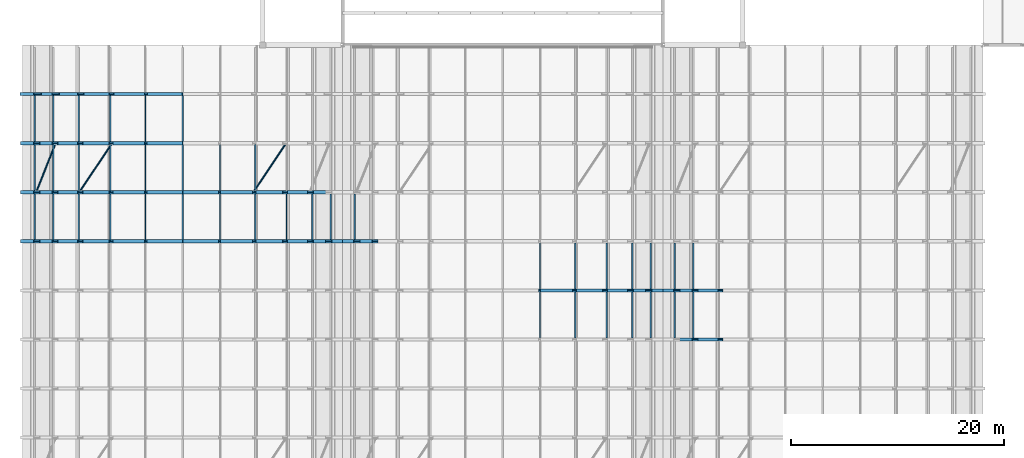
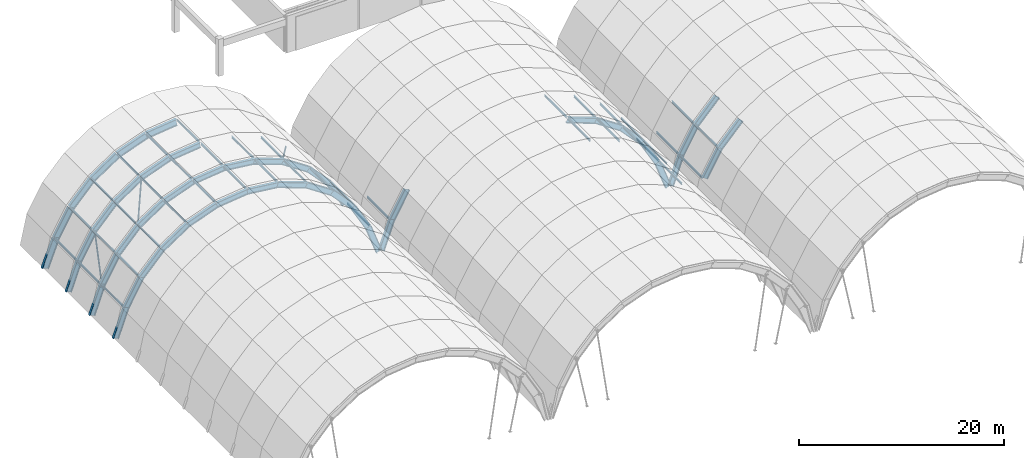
# One storey, part 11 of 47: 87 beams, 3 members.
"""IFC4 building model written with IfcOpenShell, lengths in metres."""

from ifc_helpers import new_model, si_unit, direction, frame, origin, origin_2d, place, context, subcontext, project, spatial, hollow_circle, i_section, extrude, material, material_profile, profile_set, type_object, element, save


model = new_model("IFC4")

# Units and contexts
model_context = context("Model", 3, precision=1e-05, world=origin(), true_north=direction((0.0, 1.0)))
body_context = subcontext(model_context, "Body", "Model", "MODEL_VIEW")
ifc_project = project(units=[si_unit("LENGTHUNIT", "METRE"), si_unit("AREAUNIT", "SQUARE_METRE"), si_unit("VOLUMEUNIT", "CUBIC_METRE"), si_unit("PLANEANGLEUNIT", "RADIAN"), si_unit("MASSUNIT", "GRAM", prefix="KILO")], contexts=[model_context])

# Site, building, storey
site_placement = place(None, origin())
site = spatial("IfcSite", under=ifc_project, at=site_placement, CompositionType="ELEMENT")
building_placement = place(site_placement, origin())
building = spatial("IfcBuilding", under=site, at=building_placement, Name="Muzn Square Opera House", CompositionType="ELEMENT")
storey_placement = place(building_placement, frame((0.0, 0.0, 31.0)))
storey = spatial("IfcBuildingStorey", under=building, at=storey_placement, Name="RF-1", CompositionType="ELEMENT", Elevation=31.0)

# Beams
ifc_material = material(Name="Steel S355", Category="steel")
ifc_material_profile_1 = material_profile(ifc_material, i_section(OverallWidth=0.300048828125, OverallDepth=0.800048828125, WebThickness=0.017578125, FlangeThickness=0.032958984375, FilletRadius=0.030029296875, at=origin_2d()), Name="HEB 800", Category="steel")
ifc_profile_set_1 = profile_set([ifc_material_profile_1], Name="Steel S355")
beam_type_1 = type_object("IfcBeamType", Name="Gable Arch Rib HEB800", PredefinedType="BEAM", material=ifc_profile_set_1)
beam_1_placement = place(storey_placement, frame((43.1201171875, 68.0, -12.550048828125), z_axis=(0.362708999619, 0.0, 0.931902452832), x_axis=(0.0, 1.0, 0.0)))
element("IfcBeam", 1, at=beam_1_placement, inside=storey, type_object=beam_type_1, Name="Barrel Vault Arch Rib V1-10-S00", PredefinedType="BEAM", context=body_context, shape_type="SweptSolid", body=[
    extrude(i_section(OverallWidth=0.300048828125, OverallDepth=0.800048828125, WebThickness=0.017578125, FlangeThickness=0.032958984375, FilletRadius=0.030029296875, at=origin_2d()), origin(), (0.0, 0.0, 1.0), 3.49755859375),
])
beam_2_placement = place(storey_placement, frame((44.388671875, 68.0, -9.290771484375), z_axis=(0.492117762624, 0.0, 0.870528636927), x_axis=(0.0, 1.0, 0.0)))
element("IfcBeam", 2, at=beam_2_placement, inside=storey, type_object=beam_type_1, Name="Barrel Vault Arch Rib V1-10-S01", PredefinedType="BEAM", context=body_context, shape_type="SweptSolid", body=[
    extrude(i_section(OverallWidth=0.300048828125, OverallDepth=0.800048828125, WebThickness=0.017578125, FlangeThickness=0.032958984375, FilletRadius=0.030029296875, at=origin_2d()), origin(), (0.0, 0.0, 1.0), 3.456787109375),
])
beam_3_placement = place(storey_placement, frame((46.08984375, 68.0, -6.281494140625), z_axis=(0.681076644636, 0.0, 0.732212130555), x_axis=(0.0, 1.0, 0.0)))
element("IfcBeam", 3, at=beam_3_placement, inside=storey, type_object=beam_type_1, Name="Barrel Vault Arch Rib V1-10-S02", PredefinedType="BEAM", context=body_context, shape_type="SweptSolid", body=[
    extrude(i_section(OverallWidth=0.300048828125, OverallDepth=0.800048828125, WebThickness=0.017578125, FlangeThickness=0.032958984375, FilletRadius=0.030029296875, at=origin_2d()), origin(), (0.0, 0.0, 1.0), 3.45654296875),
])
for number, where, z_axis, x_axis, name in (
    (4, (48.444091796875, 68.0, -3.75048828125), (0.832701668502, 0.0, 0.553721889827), (0.0, 1.0, 0.0), "Barrel Vault Arch Rib V1-10-S03"),
    (5, (51.322509765625, 68.0, -1.83642578125), (0.938647830501, 0.0, 0.344877152471), (0.0, 1.0, 0.0), "Barrel Vault Arch Rib V1-10-S04"),
):
    element("IfcBeam", number, at=place(storey_placement, frame(where, z_axis=z_axis, x_axis=x_axis)), inside=storey, type_object=beam_type_1, Name=name, PredefinedType="BEAM", context=body_context, shape_type="SweptSolid", body=[
        extrude(i_section(OverallWidth=0.300048828125, OverallDepth=0.800048828125, WebThickness=0.017578125, FlangeThickness=0.032958984375, FilletRadius=0.030029296875, at=origin_2d()), origin(), (0.0, 0.0, 1.0), 3.456787109375),
    ])
beam_4_placement = place(storey_placement, frame((54.567138671875, 68.0, -0.644287109375), z_axis=(0.99313613312, 0.0, 0.116964187216), x_axis=(0.0, 1.0, 0.0)))
element("IfcBeam", 6, at=beam_4_placement, inside=storey, type_object=beam_type_1, Name="Barrel Vault Arch Rib V1-10-S05", PredefinedType="BEAM", context=body_context, shape_type="SweptSolid", body=[
    extrude(i_section(OverallWidth=0.300048828125, OverallDepth=0.800048828125, WebThickness=0.017578125, FlangeThickness=0.032958984375, FilletRadius=0.030029296875, at=origin_2d()), origin(), (0.0, 0.0, 1.0), 3.45654296875),
])
ifc_material_profile_2 = material_profile(ifc_material, i_section(OverallWidth=0.1201171875, OverallDepth=0.239990234375, WebThickness=0.006103515625, FlangeThickness=0.009765625, FilletRadius=0.014892578125, at=origin_2d()), Name="IPE 240", Category="steel")
ifc_profile_set_2 = profile_set([ifc_material_profile_2], Name="Steel S355")
beam_type_2 = type_object("IfcBeamType", Name="Roof Purlin IPE240", PredefinedType="USERDEFINED", material=ifc_profile_set_2)
for number, where, z_axis, x_axis, name in (
    (7, (44.130615234375, 54.340087890625, -9.1826171875), (0.0, 1.0, 0.0), (-1.0, 0.0, 0.0), "Barrel Vault Roof Purlin V1-07-P02"),
    (8, (45.86376953125, 54.340087890625, -6.1162109375), (0.0, 1.0, 0.0), (-1.0, 0.0, 0.0), "Barrel Vault Roof Purlin V1-07-P04"),
    (9, (48.2626953125, 54.340087890625, -3.537109375), (0.0, 1.0, 0.0), (-1.0, 0.0, 0.0), "Barrel Vault Roof Purlin V1-07-P06"),
    (10, (51.19580078125, 54.340087890625, -1.5869140625), (0.0, 1.0, 0.0), (-1.0, 0.0, 0.0), "Barrel Vault Roof Purlin V1-07-P08"),
    (11, (54.501953125, 54.340087890625, -0.3720703125), (0.0, 1.0, 0.0), (-1.0, 0.0, 0.0), "Barrel Vault Roof Purlin V1-07-P10"),
    (12, (58.0, 54.340087890625, 0.0400390625), (0.0, 1.0, 0.0), (-1.0, 0.0, 0.0), "Barrel Vault Roof Purlin V1-07-P12"),
    (13, (61.498046875, 54.340087890625, -0.3720703125), (0.0, 1.0, 0.0), (-1.0, 0.0, 0.0), "Barrel Vault Roof Purlin V1-07-P14"),
    (14, (64.80419921875, 54.340087890625, -1.5869140625), (0.0, 1.0, 0.0), (-1.0, 0.0, 0.0), "Barrel Vault Roof Purlin V1-07-P16"),
    (15, (67.7373046875, 54.340087890625, -3.537109375), (0.0, 1.0, 0.0), (-1.0, 0.0, 0.0), "Barrel Vault Roof Purlin V1-07-P18"),
    (16, (70.13623046875, 54.340087890625, -6.1162109375), (0.0, 1.0, 0.0), (-1.0, 0.0, 0.0), "Barrel Vault Roof Purlin V1-07-P20"),
    (17, (71.869384765625, 54.340087890625, -9.1826171875), (0.0, 1.0, 0.0), (-1.0, 0.0, 0.0), "Barrel Vault Roof Purlin V1-07-P22"),
):
    element("IfcBeam", number, at=place(storey_placement, frame(where, z_axis=z_axis, x_axis=x_axis)), inside=storey, type_object=beam_type_2, Name=name, ObjectType="PURLIN", PredefinedType="USERDEFINED", context=body_context, shape_type="SweptSolid", body=[
        extrude(i_section(OverallWidth=0.1201171875, OverallDepth=0.239990234375, WebThickness=0.006103515625, FlangeThickness=0.009765625, FilletRadius=0.014892578125, at=origin_2d()), origin(), (0.0, 0.0, 1.0), 4.31982421875),
    ])
for number, where, z_axis, x_axis, name in (
    (18, (44.130615234375, 58.93994140625, -9.1826171875), (0.0, 1.0, 0.0), (-1.0, 0.0, 0.0), "Barrel Vault Roof Purlin V1-08-P02"),
    (19, (45.86376953125, 58.93994140625, -6.1162109375), (0.0, 1.0, 0.0), (-1.0, 0.0, 0.0), "Barrel Vault Roof Purlin V1-08-P04"),
    (20, (48.2626953125, 58.93994140625, -3.537109375), (0.0, 1.0, 0.0), (-1.0, 0.0, 0.0), "Barrel Vault Roof Purlin V1-08-P06"),
    (21, (51.19580078125, 58.93994140625, -1.5869140625), (0.0, 1.0, 0.0), (-1.0, 0.0, 0.0), "Barrel Vault Roof Purlin V1-08-P08"),
    (22, (54.501953125, 58.93994140625, -0.3720703125), (0.0, 1.0, 0.0), (-1.0, 0.0, 0.0), "Barrel Vault Roof Purlin V1-08-P10"),
    (23, (58.0, 58.93994140625, 0.0400390625), (0.0, 1.0, 0.0), (-1.0, 0.0, 0.0), "Barrel Vault Roof Purlin V1-08-P12"),
    (24, (61.498046875, 58.93994140625, -0.3720703125), (0.0, 1.0, 0.0), (-1.0, 0.0, 0.0), "Barrel Vault Roof Purlin V1-08-P14"),
    (25, (64.80419921875, 58.93994140625, -1.5869140625), (0.0, 1.0, 0.0), (-1.0, 0.0, 0.0), "Barrel Vault Roof Purlin V1-08-P16"),
    (26, (44.130615234375, 63.5400390625, -9.1826171875), (0.0, 1.0, 0.0), (-1.0, 0.0, 0.0), "Barrel Vault Roof Purlin V1-09-P02"),
    (27, (45.86376953125, 63.5400390625, -6.1162109375), (0.0, 1.0, 0.0), (-1.0, 0.0, 0.0), "Barrel Vault Roof Purlin V1-09-P04"),
    (28, (48.2626953125, 63.5400390625, -3.537109375), (0.0, 1.0, 0.0), (-1.0, 0.0, 0.0), "Barrel Vault Roof Purlin V1-09-P06"),
    (29, (51.19580078125, 63.5400390625, -1.5869140625), (0.0, 1.0, 0.0), (-1.0, 0.0, 0.0), "Barrel Vault Roof Purlin V1-09-P08"),
    (30, (54.501953125, 63.5400390625, -0.3720703125), (0.0, 1.0, 0.0), (-1.0, 0.0, 0.0), "Barrel Vault Roof Purlin V1-09-P10"),
    (31, (58.0, 63.5400390625, 0.0400390625), (0.0, 1.0, 0.0), (-1.0, 0.0, 0.0), "Barrel Vault Roof Purlin V1-09-P12"),
    (32, (91.498046875, 45.139892578125, -0.3720703125), (0.0, 1.0, 0.0), (-1.0, 0.0, 0.0), "Barrel Vault Roof Purlin V2-05-P14"),
    (33, (94.80419921875, 45.139892578125, -1.5869140625), (0.0, 1.0, 0.0), (-1.0, 0.0, 0.0), "Barrel Vault Roof Purlin V2-05-P16"),
    (34, (97.7373046875, 45.139892578125, -3.537109375), (0.0, 1.0, 0.0), (-1.0, 0.0, 0.0), "Barrel Vault Roof Purlin V2-05-P18"),
    (35, (100.13623046875, 45.139892578125, -6.1162109375), (0.0, 1.0, 0.0), (-1.0, 0.0, 0.0), "Barrel Vault Roof Purlin V2-05-P20"),
    (36, (101.869384765625, 45.139892578125, -9.1826171875), (0.0, 1.0, 0.0), (-1.0, 0.0, 0.0), "Barrel Vault Roof Purlin V2-05-P22"),
    (37, (91.498046875, 49.739990234375, -0.3720703125), (0.0, 1.0, 0.0), (-1.0, 0.0, 0.0), "Barrel Vault Roof Purlin V2-06-P14"),
    (38, (94.80419921875, 49.739990234375, -1.5869140625), (0.0, 1.0, 0.0), (-1.0, 0.0, 0.0), "Barrel Vault Roof Purlin V2-06-P16"),
    (39, (97.7373046875, 49.739990234375, -3.537109375), (0.0, 1.0, 0.0), (-1.0, 0.0, 0.0), "Barrel Vault Roof Purlin V2-06-P18"),
    (40, (100.13623046875, 49.739990234375, -6.1162109375), (0.0, 1.0, 0.0), (-1.0, 0.0, 0.0), "Barrel Vault Roof Purlin V2-06-P20"),
    (41, (101.869384765625, 49.739990234375, -9.1826171875), (0.0, 1.0, 0.0), (-1.0, 0.0, 0.0), "Barrel Vault Roof Purlin V2-06-P22"),
):
    element("IfcBeam", number, at=place(storey_placement, frame(where, z_axis=z_axis, x_axis=x_axis)), inside=storey, type_object=beam_type_2, Name=name, ObjectType="PURLIN", PredefinedType="USERDEFINED", context=body_context, shape_type="SweptSolid", body=[
        extrude(i_section(OverallWidth=0.1201171875, OverallDepth=0.239990234375, WebThickness=0.006103515625, FlangeThickness=0.009765625, FilletRadius=0.014892578125, at=origin_2d()), origin(), (0.0, 0.0, 1.0), 4.320068359375),
    ])
beam_5_placement = place(storey_placement, frame((74.130615234375, 54.340087890625, -9.1826171875), z_axis=(0.0, 1.0, 0.0), x_axis=(-1.0, 0.0, 0.0)))
element("IfcBeam", 42, at=beam_5_placement, inside=storey, type_object=beam_type_2, Name="Barrel Vault Roof Purlin V2-07-P02", ObjectType="PURLIN", PredefinedType="USERDEFINED", context=body_context, shape_type="SweptSolid", body=[
    extrude(i_section(OverallWidth=0.1201171875, OverallDepth=0.239990234375, WebThickness=0.006103515625, FlangeThickness=0.009765625, FilletRadius=0.014892578125, at=origin_2d()), origin(), (0.0, 0.0, 1.0), 4.31982421875),
])
for number, where, z_axis, x_axis, name in (
    (43, (104.130615234375, 45.139892578125, -9.1826171875), (0.0, 1.0, 0.0), (-1.0, 0.0, 0.0), "Barrel Vault Roof Purlin V3-05-P02"),
    (44, (105.86376953125, 45.139892578125, -6.1162109375), (0.0, 1.0, 0.0), (-1.0, 0.0, 0.0), "Barrel Vault Roof Purlin V3-05-P04"),
    (45, (104.130615234375, 49.739990234375, -9.1826171875), (0.0, 1.0, 0.0), (-1.0, 0.0, 0.0), "Barrel Vault Roof Purlin V3-06-P02"),
    (46, (105.86376953125, 49.739990234375, -6.1162109375), (0.0, 1.0, 0.0), (-1.0, 0.0, 0.0), "Barrel Vault Roof Purlin V3-06-P04"),
):
    element("IfcBeam", number, at=place(storey_placement, frame(where, z_axis=z_axis, x_axis=x_axis)), inside=storey, type_object=beam_type_2, Name=name, ObjectType="PURLIN", PredefinedType="USERDEFINED", context=body_context, shape_type="SweptSolid", body=[
        extrude(i_section(OverallWidth=0.1201171875, OverallDepth=0.239990234375, WebThickness=0.006103515625, FlangeThickness=0.009765625, FilletRadius=0.014892578125, at=origin_2d()), origin(), (0.0, 0.0, 1.0), 4.320068359375),
    ])
ifc_material_profile_3 = material_profile(ifc_material, i_section(OverallWidth=0.300048828125, OverallDepth=0.64990234375, WebThickness=0.01611328125, FlangeThickness=0.031005859375, FilletRadius=0.027099609375, at=origin_2d()), Name="HEB 650", Category="steel")
ifc_profile_set_3 = profile_set([ifc_material_profile_3], Name="Steel S355")
beam_type_3 = type_object("IfcBeamType", Name="Vault Arch Rib HEB650", PredefinedType="BEAM", material=ifc_profile_set_3)
beam_6_placement = place(storey_placement, frame((43.1201171875, 54.199951171875, -12.550048828125), z_axis=(0.342678144973, 0.0, 0.93945286681), x_axis=(0.0, 1.0, 0.0)))
element("IfcBeam", 47, at=beam_6_placement, inside=storey, type_object=beam_type_3, Name="Barrel Vault Arch Rib V1-07-S00", PredefinedType="BEAM", context=body_context, shape_type="SweptSolid", body=[
    extrude(i_section(OverallWidth=0.300048828125, OverallDepth=0.64990234375, WebThickness=0.01611328125, FlangeThickness=0.031005859375, FilletRadius=0.027099609375, at=origin_2d()), origin(), (0.0, 0.0, 1.0), 3.500244140625),
])
beam_7_placement = place(storey_placement, frame((44.319580078125, 54.199951171875, -9.26171875), z_axis=(0.492115144444, 0.0, 0.870530117003), x_axis=(0.0, 1.0, 0.0)))
element("IfcBeam", 48, at=beam_7_placement, inside=storey, type_object=beam_type_3, Name="Barrel Vault Arch Rib V1-07-S01", PredefinedType="BEAM", context=body_context, shape_type="SweptSolid", body=[
    extrude(i_section(OverallWidth=0.300048828125, OverallDepth=0.64990234375, WebThickness=0.01611328125, FlangeThickness=0.031005859375, FilletRadius=0.027099609375, at=origin_2d()), origin(), (0.0, 0.0, 1.0), 3.47412109375),
])
for number, where, z_axis, x_axis, name in (
    (49, (46.029296875, 54.199951171875, -6.2373046875), (0.681065393401, 0.0, 0.732222595876), (0.0, 1.0, 0.0), "Barrel Vault Arch Rib V1-07-S02"),
    (50, (48.3955078125, 54.199951171875, -3.693359375), (0.832698370736, 0.0, 0.553726849063), (0.0, 1.0, 0.0), "Barrel Vault Arch Rib V1-07-S03"),
):
    element("IfcBeam", number, at=place(storey_placement, frame(where, z_axis=z_axis, x_axis=x_axis)), inside=storey, type_object=beam_type_3, Name=name, PredefinedType="BEAM", context=body_context, shape_type="SweptSolid", body=[
        extrude(i_section(OverallWidth=0.300048828125, OverallDepth=0.64990234375, WebThickness=0.01611328125, FlangeThickness=0.031005859375, FilletRadius=0.027099609375, at=origin_2d()), origin(), (0.0, 0.0, 1.0), 3.474365234375),
    ])
beam_8_placement = place(storey_placement, frame((51.28857421875, 54.199951171875, -1.76953125), z_axis=(0.938661867851, 0.0, 0.344838944789), x_axis=(0.0, 1.0, 0.0)))
element("IfcBeam", 51, at=beam_8_placement, inside=storey, type_object=beam_type_3, Name="Barrel Vault Arch Rib V1-07-S04", PredefinedType="BEAM", context=body_context, shape_type="SweptSolid", body=[
    extrude(i_section(OverallWidth=0.300048828125, OverallDepth=0.64990234375, WebThickness=0.01611328125, FlangeThickness=0.031005859375, FilletRadius=0.027099609375, at=origin_2d()), origin(), (0.0, 0.0, 1.0), 3.47412109375),
])
for number, where, z_axis, x_axis, name in (
    (52, (54.549560546875, 54.199951171875, -0.571533203125), (0.993131884792, 0.0, 0.117000253887), (0.0, 1.0, 0.0), "Barrel Vault Arch Rib V1-07-S05"),
    (53, (58.0, 54.199951171875, -0.1650390625), (0.993131884792, 0.0, -0.117000253887), (0.0, 1.0, 0.0), "Barrel Vault Arch Rib V1-07-S06"),
):
    element("IfcBeam", number, at=place(storey_placement, frame(where, z_axis=z_axis, x_axis=x_axis)), inside=storey, type_object=beam_type_3, Name=name, PredefinedType="BEAM", context=body_context, shape_type="SweptSolid", body=[
        extrude(i_section(OverallWidth=0.300048828125, OverallDepth=0.64990234375, WebThickness=0.01611328125, FlangeThickness=0.031005859375, FilletRadius=0.027099609375, at=origin_2d()), origin(), (0.0, 0.0, 1.0), 3.474365234375),
    ])
beam_9_placement = place(storey_placement, frame((61.450439453125, 54.199951171875, -0.571533203125), z_axis=(0.938661867851, 0.0, -0.344838944789), x_axis=(0.0, 1.0, 0.0)))
element("IfcBeam", 54, at=beam_9_placement, inside=storey, type_object=beam_type_3, Name="Barrel Vault Arch Rib V1-07-S07", PredefinedType="BEAM", context=body_context, shape_type="SweptSolid", body=[
    extrude(i_section(OverallWidth=0.300048828125, OverallDepth=0.64990234375, WebThickness=0.01611328125, FlangeThickness=0.031005859375, FilletRadius=0.027099609375, at=origin_2d()), origin(), (0.0, 0.0, 1.0), 3.47412109375),
])
for number, where, z_axis, x_axis, name in (
    (55, (64.71142578125, 54.199951171875, -1.76953125), (0.832698370736, 0.0, -0.553726849063), (0.0, 1.0, 0.0), "Barrel Vault Arch Rib V1-07-S08"),
    (56, (67.6044921875, 54.199951171875, -3.693359375), (0.681065393401, 0.0, -0.732222595876), (0.0, 1.0, 0.0), "Barrel Vault Arch Rib V1-07-S09"),
):
    element("IfcBeam", number, at=place(storey_placement, frame(where, z_axis=z_axis, x_axis=x_axis)), inside=storey, type_object=beam_type_3, Name=name, PredefinedType="BEAM", context=body_context, shape_type="SweptSolid", body=[
        extrude(i_section(OverallWidth=0.300048828125, OverallDepth=0.64990234375, WebThickness=0.01611328125, FlangeThickness=0.031005859375, FilletRadius=0.027099609375, at=origin_2d()), origin(), (0.0, 0.0, 1.0), 3.474365234375),
    ])
beam_10_placement = place(storey_placement, frame((69.970703125, 54.199951171875, -6.2373046875), z_axis=(0.492115144444, 0.0, -0.870530117003), x_axis=(0.0, 1.0, 0.0)))
element("IfcBeam", 57, at=beam_10_placement, inside=storey, type_object=beam_type_3, Name="Barrel Vault Arch Rib V1-07-S10", PredefinedType="BEAM", context=body_context, shape_type="SweptSolid", body=[
    extrude(i_section(OverallWidth=0.300048828125, OverallDepth=0.64990234375, WebThickness=0.01611328125, FlangeThickness=0.031005859375, FilletRadius=0.027099609375, at=origin_2d()), origin(), (0.0, 0.0, 1.0), 3.47412109375),
])
for number, where, z_axis, x_axis, name in (
    (58, (71.680419921875, 54.199951171875, -9.26171875), (0.342678144973, 0.0, -0.93945286681), (0.0, 1.0, 0.0), "Barrel Vault Arch Rib V1-07-S11"),
    (59, (43.1201171875, 58.800048828125, -12.550048828125), (0.342678144973, 0.0, 0.93945286681), (0.0, 1.0, 0.0), "Barrel Vault Arch Rib V1-08-S00"),
):
    element("IfcBeam", number, at=place(storey_placement, frame(where, z_axis=z_axis, x_axis=x_axis)), inside=storey, type_object=beam_type_3, Name=name, PredefinedType="BEAM", context=body_context, shape_type="SweptSolid", body=[
        extrude(i_section(OverallWidth=0.300048828125, OverallDepth=0.64990234375, WebThickness=0.01611328125, FlangeThickness=0.031005859375, FilletRadius=0.027099609375, at=origin_2d()), origin(), (0.0, 0.0, 1.0), 3.500244140625),
    ])
beam_11_placement = place(storey_placement, frame((44.319580078125, 58.800048828125, -9.26171875), z_axis=(0.492115144444, 0.0, 0.870530117003), x_axis=(0.0, 1.0, 0.0)))
element("IfcBeam", 60, at=beam_11_placement, inside=storey, type_object=beam_type_3, Name="Barrel Vault Arch Rib V1-08-S01", PredefinedType="BEAM", context=body_context, shape_type="SweptSolid", body=[
    extrude(i_section(OverallWidth=0.300048828125, OverallDepth=0.64990234375, WebThickness=0.01611328125, FlangeThickness=0.031005859375, FilletRadius=0.027099609375, at=origin_2d()), origin(), (0.0, 0.0, 1.0), 3.47412109375),
])
for number, where, z_axis, x_axis, name in (
    (61, (46.029296875, 58.800048828125, -6.2373046875), (0.681065393401, 0.0, 0.732222595876), (0.0, 1.0, 0.0), "Barrel Vault Arch Rib V1-08-S02"),
    (62, (48.3955078125, 58.800048828125, -3.693359375), (0.832698370736, 0.0, 0.553726849063), (0.0, 1.0, 0.0), "Barrel Vault Arch Rib V1-08-S03"),
):
    element("IfcBeam", number, at=place(storey_placement, frame(where, z_axis=z_axis, x_axis=x_axis)), inside=storey, type_object=beam_type_3, Name=name, PredefinedType="BEAM", context=body_context, shape_type="SweptSolid", body=[
        extrude(i_section(OverallWidth=0.300048828125, OverallDepth=0.64990234375, WebThickness=0.01611328125, FlangeThickness=0.031005859375, FilletRadius=0.027099609375, at=origin_2d()), origin(), (0.0, 0.0, 1.0), 3.474365234375),
    ])
beam_12_placement = place(storey_placement, frame((51.28857421875, 58.800048828125, -1.76953125), z_axis=(0.938661867851, 0.0, 0.344838944789), x_axis=(0.0, 1.0, 0.0)))
element("IfcBeam", 63, at=beam_12_placement, inside=storey, type_object=beam_type_3, Name="Barrel Vault Arch Rib V1-08-S04", PredefinedType="BEAM", context=body_context, shape_type="SweptSolid", body=[
    extrude(i_section(OverallWidth=0.300048828125, OverallDepth=0.64990234375, WebThickness=0.01611328125, FlangeThickness=0.031005859375, FilletRadius=0.027099609375, at=origin_2d()), origin(), (0.0, 0.0, 1.0), 3.47412109375),
])
for number, where, z_axis, x_axis, name in (
    (64, (54.549560546875, 58.800048828125, -0.571533203125), (0.993131884792, 0.0, 0.117000253887), (0.0, 1.0, 0.0), "Barrel Vault Arch Rib V1-08-S05"),
    (65, (58.0, 58.800048828125, -0.1650390625), (0.993131884792, 0.0, -0.117000253887), (0.0, 1.0, 0.0), "Barrel Vault Arch Rib V1-08-S06"),
):
    element("IfcBeam", number, at=place(storey_placement, frame(where, z_axis=z_axis, x_axis=x_axis)), inside=storey, type_object=beam_type_3, Name=name, PredefinedType="BEAM", context=body_context, shape_type="SweptSolid", body=[
        extrude(i_section(OverallWidth=0.300048828125, OverallDepth=0.64990234375, WebThickness=0.01611328125, FlangeThickness=0.031005859375, FilletRadius=0.027099609375, at=origin_2d()), origin(), (0.0, 0.0, 1.0), 3.474365234375),
    ])
beam_13_placement = place(storey_placement, frame((61.450439453125, 58.800048828125, -0.571533203125), z_axis=(0.938661867851, 0.0, -0.344838944789), x_axis=(0.0, 1.0, 0.0)))
element("IfcBeam", 66, at=beam_13_placement, inside=storey, type_object=beam_type_3, Name="Barrel Vault Arch Rib V1-08-S07", PredefinedType="BEAM", context=body_context, shape_type="SweptSolid", body=[
    extrude(i_section(OverallWidth=0.300048828125, OverallDepth=0.64990234375, WebThickness=0.01611328125, FlangeThickness=0.031005859375, FilletRadius=0.027099609375, at=origin_2d()), origin(), (0.0, 0.0, 1.0), 3.47412109375),
])
for number, where, z_axis, x_axis, name in (
    (67, (64.71142578125, 58.800048828125, -1.76953125), (0.832698370736, 0.0, -0.553726849063), (0.0, 1.0, 0.0), "Barrel Vault Arch Rib V1-08-S08"),
    (68, (67.6044921875, 58.800048828125, -3.693359375), (0.681065393401, 0.0, -0.732222595876), (0.0, 1.0, 0.0), "Barrel Vault Arch Rib V1-08-S09"),
):
    element("IfcBeam", number, at=place(storey_placement, frame(where, z_axis=z_axis, x_axis=x_axis)), inside=storey, type_object=beam_type_3, Name=name, PredefinedType="BEAM", context=body_context, shape_type="SweptSolid", body=[
        extrude(i_section(OverallWidth=0.300048828125, OverallDepth=0.64990234375, WebThickness=0.01611328125, FlangeThickness=0.031005859375, FilletRadius=0.027099609375, at=origin_2d()), origin(), (0.0, 0.0, 1.0), 3.474365234375),
    ])
beam_14_placement = place(storey_placement, frame((69.970703125, 58.800048828125, -6.2373046875), z_axis=(0.492115144444, 0.0, -0.870530117003), x_axis=(0.0, 1.0, 0.0)))
element("IfcBeam", 69, at=beam_14_placement, inside=storey, type_object=beam_type_3, Name="Barrel Vault Arch Rib V1-08-S10", PredefinedType="BEAM", context=body_context, shape_type="SweptSolid", body=[
    extrude(i_section(OverallWidth=0.300048828125, OverallDepth=0.64990234375, WebThickness=0.01611328125, FlangeThickness=0.031005859375, FilletRadius=0.027099609375, at=origin_2d()), origin(), (0.0, 0.0, 1.0), 3.47412109375),
])
beam_15_placement = place(storey_placement, frame((43.1201171875, 63.39990234375, -12.550048828125), z_axis=(0.342678144973, 0.0, 0.93945286681), x_axis=(0.0, 1.0, 0.0)))
element("IfcBeam", 70, at=beam_15_placement, inside=storey, type_object=beam_type_3, Name="Barrel Vault Arch Rib V1-09-S00", PredefinedType="BEAM", context=body_context, shape_type="SweptSolid", body=[
    extrude(i_section(OverallWidth=0.300048828125, OverallDepth=0.64990234375, WebThickness=0.01611328125, FlangeThickness=0.031005859375, FilletRadius=0.027099609375, at=origin_2d()), origin(), (0.0, 0.0, 1.0), 3.500244140625),
])
beam_16_placement = place(storey_placement, frame((44.319580078125, 63.39990234375, -9.26171875), z_axis=(0.492115144444, 0.0, 0.870530117003), x_axis=(0.0, 1.0, 0.0)))
element("IfcBeam", 71, at=beam_16_placement, inside=storey, type_object=beam_type_3, Name="Barrel Vault Arch Rib V1-09-S01", PredefinedType="BEAM", context=body_context, shape_type="SweptSolid", body=[
    extrude(i_section(OverallWidth=0.300048828125, OverallDepth=0.64990234375, WebThickness=0.01611328125, FlangeThickness=0.031005859375, FilletRadius=0.027099609375, at=origin_2d()), origin(), (0.0, 0.0, 1.0), 3.47412109375),
])
for number, where, z_axis, x_axis, name in (
    (72, (46.029296875, 63.39990234375, -6.2373046875), (0.681065393401, 0.0, 0.732222595876), (0.0, 1.0, 0.0), "Barrel Vault Arch Rib V1-09-S02"),
    (73, (48.3955078125, 63.39990234375, -3.693359375), (0.832698370736, 0.0, 0.553726849063), (0.0, 1.0, 0.0), "Barrel Vault Arch Rib V1-09-S03"),
):
    element("IfcBeam", number, at=place(storey_placement, frame(where, z_axis=z_axis, x_axis=x_axis)), inside=storey, type_object=beam_type_3, Name=name, PredefinedType="BEAM", context=body_context, shape_type="SweptSolid", body=[
        extrude(i_section(OverallWidth=0.300048828125, OverallDepth=0.64990234375, WebThickness=0.01611328125, FlangeThickness=0.031005859375, FilletRadius=0.027099609375, at=origin_2d()), origin(), (0.0, 0.0, 1.0), 3.474365234375),
    ])
beam_17_placement = place(storey_placement, frame((51.28857421875, 63.39990234375, -1.76953125), z_axis=(0.938661867851, 0.0, 0.344838944789), x_axis=(0.0, 1.0, 0.0)))
element("IfcBeam", 74, at=beam_17_placement, inside=storey, type_object=beam_type_3, Name="Barrel Vault Arch Rib V1-09-S04", PredefinedType="BEAM", context=body_context, shape_type="SweptSolid", body=[
    extrude(i_section(OverallWidth=0.300048828125, OverallDepth=0.64990234375, WebThickness=0.01611328125, FlangeThickness=0.031005859375, FilletRadius=0.027099609375, at=origin_2d()), origin(), (0.0, 0.0, 1.0), 3.47412109375),
])
beam_18_placement = place(storey_placement, frame((54.549560546875, 63.39990234375, -0.571533203125), z_axis=(0.993131884792, 0.0, 0.117000253887), x_axis=(0.0, 1.0, 0.0)))
element("IfcBeam", 75, at=beam_18_placement, inside=storey, type_object=beam_type_3, Name="Barrel Vault Arch Rib V1-09-S05", PredefinedType="BEAM", context=body_context, shape_type="SweptSolid", body=[
    extrude(i_section(OverallWidth=0.300048828125, OverallDepth=0.64990234375, WebThickness=0.01611328125, FlangeThickness=0.031005859375, FilletRadius=0.027099609375, at=origin_2d()), origin(), (0.0, 0.0, 1.0), 3.474365234375),
])
beam_19_placement = place(storey_placement, frame((91.450439453125, 49.60009765625, -0.571533203125), z_axis=(0.938661867851, 0.0, -0.344838944789), x_axis=(0.0, 1.0, 0.0)))
element("IfcBeam", 76, at=beam_19_placement, inside=storey, type_object=beam_type_3, Name="Barrel Vault Arch Rib V2-06-S07", PredefinedType="BEAM", context=body_context, shape_type="SweptSolid", body=[
    extrude(i_section(OverallWidth=0.300048828125, OverallDepth=0.64990234375, WebThickness=0.01611328125, FlangeThickness=0.031005859375, FilletRadius=0.027099609375, at=origin_2d()), origin(), (0.0, 0.0, 1.0), 3.47412109375),
])
for number, where, z_axis, x_axis, name in (
    (77, (94.71142578125, 49.60009765625, -1.76953125), (0.832698370736, 0.0, -0.553726849063), (0.0, 1.0, 0.0), "Barrel Vault Arch Rib V2-06-S08"),
    (78, (97.6044921875, 49.60009765625, -3.693359375), (0.681065393401, 0.0, -0.732222595876), (0.0, 1.0, 0.0), "Barrel Vault Arch Rib V2-06-S09"),
):
    element("IfcBeam", number, at=place(storey_placement, frame(where, z_axis=z_axis, x_axis=x_axis)), inside=storey, type_object=beam_type_3, Name=name, PredefinedType="BEAM", context=body_context, shape_type="SweptSolid", body=[
        extrude(i_section(OverallWidth=0.300048828125, OverallDepth=0.64990234375, WebThickness=0.01611328125, FlangeThickness=0.031005859375, FilletRadius=0.027099609375, at=origin_2d()), origin(), (0.0, 0.0, 1.0), 3.474365234375),
    ])
beam_20_placement = place(storey_placement, frame((99.970703125, 49.60009765625, -6.2373046875), z_axis=(0.492115144444, 0.0, -0.870530117003), x_axis=(0.0, 1.0, 0.0)))
element("IfcBeam", 79, at=beam_20_placement, inside=storey, type_object=beam_type_3, Name="Barrel Vault Arch Rib V2-06-S10", PredefinedType="BEAM", context=body_context, shape_type="SweptSolid", body=[
    extrude(i_section(OverallWidth=0.300048828125, OverallDepth=0.64990234375, WebThickness=0.01611328125, FlangeThickness=0.031005859375, FilletRadius=0.027099609375, at=origin_2d()), origin(), (0.0, 0.0, 1.0), 3.47412109375),
])
for number, where, z_axis, x_axis, name in (
    (80, (101.680419921875, 49.60009765625, -9.26171875), (0.342678144973, 0.0, -0.93945286681), (0.0, 1.0, 0.0), "Barrel Vault Arch Rib V2-06-S11"),
    (81, (73.1201171875, 54.199951171875, -12.550048828125), (0.342678144973, 0.0, 0.93945286681), (0.0, 1.0, 0.0), "Barrel Vault Arch Rib V2-07-S00"),
):
    element("IfcBeam", number, at=place(storey_placement, frame(where, z_axis=z_axis, x_axis=x_axis)), inside=storey, type_object=beam_type_3, Name=name, PredefinedType="BEAM", context=body_context, shape_type="SweptSolid", body=[
        extrude(i_section(OverallWidth=0.300048828125, OverallDepth=0.64990234375, WebThickness=0.01611328125, FlangeThickness=0.031005859375, FilletRadius=0.027099609375, at=origin_2d()), origin(), (0.0, 0.0, 1.0), 3.500244140625),
    ])
for number, where, z_axis, x_axis, name in (
    (82, (74.319580078125, 54.199951171875, -9.26171875), (0.492115144444, 0.0, 0.870530117003), (0.0, 1.0, 0.0), "Barrel Vault Arch Rib V2-07-S01"),
    (83, (104.319580078125, 45.0, -9.26171875), (0.492115144444, 0.0, 0.870530117003), (0.0, 1.0, 0.0), "Barrel Vault Arch Rib V3-05-S01"),
):
    element("IfcBeam", number, at=place(storey_placement, frame(where, z_axis=z_axis, x_axis=x_axis)), inside=storey, type_object=beam_type_3, Name=name, PredefinedType="BEAM", context=body_context, shape_type="SweptSolid", body=[
        extrude(i_section(OverallWidth=0.300048828125, OverallDepth=0.64990234375, WebThickness=0.01611328125, FlangeThickness=0.031005859375, FilletRadius=0.027099609375, at=origin_2d()), origin(), (0.0, 0.0, 1.0), 3.47412109375),
    ])
beam_21_placement = place(storey_placement, frame((106.029296875, 45.0, -6.2373046875), z_axis=(0.681065393401, 0.0, 0.732222595876), x_axis=(0.0, 1.0, 0.0)))
element("IfcBeam", 84, at=beam_21_placement, inside=storey, type_object=beam_type_3, Name="Barrel Vault Arch Rib V3-05-S02", PredefinedType="BEAM", context=body_context, shape_type="SweptSolid", body=[
    extrude(i_section(OverallWidth=0.300048828125, OverallDepth=0.64990234375, WebThickness=0.01611328125, FlangeThickness=0.031005859375, FilletRadius=0.027099609375, at=origin_2d()), origin(), (0.0, 0.0, 1.0), 3.474365234375),
])
beam_22_placement = place(storey_placement, frame((103.1201171875, 49.60009765625, -12.550048828125), z_axis=(0.342678144973, 0.0, 0.93945286681), x_axis=(0.0, 1.0, 0.0)))
element("IfcBeam", 85, at=beam_22_placement, inside=storey, type_object=beam_type_3, Name="Barrel Vault Arch Rib V3-06-S00", PredefinedType="BEAM", context=body_context, shape_type="SweptSolid", body=[
    extrude(i_section(OverallWidth=0.300048828125, OverallDepth=0.64990234375, WebThickness=0.01611328125, FlangeThickness=0.031005859375, FilletRadius=0.027099609375, at=origin_2d()), origin(), (0.0, 0.0, 1.0), 3.500244140625),
])
beam_23_placement = place(storey_placement, frame((104.319580078125, 49.60009765625, -9.26171875), z_axis=(0.492115144444, 0.0, 0.870530117003), x_axis=(0.0, 1.0, 0.0)))
element("IfcBeam", 86, at=beam_23_placement, inside=storey, type_object=beam_type_3, Name="Barrel Vault Arch Rib V3-06-S01", PredefinedType="BEAM", context=body_context, shape_type="SweptSolid", body=[
    extrude(i_section(OverallWidth=0.300048828125, OverallDepth=0.64990234375, WebThickness=0.01611328125, FlangeThickness=0.031005859375, FilletRadius=0.027099609375, at=origin_2d()), origin(), (0.0, 0.0, 1.0), 3.47412109375),
])
beam_24_placement = place(storey_placement, frame((106.029296875, 49.60009765625, -6.2373046875), z_axis=(0.681065393401, 0.0, 0.732222595876), x_axis=(0.0, 1.0, 0.0)))
element("IfcBeam", 87, at=beam_24_placement, inside=storey, type_object=beam_type_3, Name="Barrel Vault Arch Rib V3-06-S02", PredefinedType="BEAM", context=body_context, shape_type="SweptSolid", body=[
    extrude(i_section(OverallWidth=0.300048828125, OverallDepth=0.64990234375, WebThickness=0.01611328125, FlangeThickness=0.031005859375, FilletRadius=0.027099609375, at=origin_2d()), origin(), (0.0, 0.0, 1.0), 3.474365234375),
])

# Members
ifc_material_profile_4 = material_profile(ifc_material, hollow_circle(Radius=0.084228515625, WallThickness=0.010009765625, at=origin_2d()), Name="CHS 168.3x10", Category="steel")
ifc_profile_set_4 = profile_set([ifc_material_profile_4], Name="Steel S355")
member_type = type_object("IfcMemberType", Name="Vault Wind Brace CHS168", PredefinedType="BRACE", material=ifc_profile_set_4)
for number, where, z_axis, x_axis, name in (
    (88, (44.319580078125, 58.93994140625, -9.26171875), (0.308404189508, 0.779267761438, 0.545553491308), (-0.929829464055, 0.367990716969, 0.0), "Barrel Vault Wind Brace V1-08-04"),
    (89, (48.3955078125, 58.93994140625, -3.693359375), (0.521854332426, 0.779258431416, 0.347022121478), (-0.830892639322, 0.55643276496, 0.0), "Barrel Vault Wind Brace V1-08-08"),
    (90, (64.71142578125, 58.93994140625, -1.76953125), (0.521854332426, 0.779258431416, -0.347022121478), (-0.830892639322, 0.55643276496, 0.0), "Barrel Vault Wind Brace V1-08-14"),
):
    element("IfcMember", number, at=place(storey_placement, frame(where, z_axis=z_axis, x_axis=x_axis)), inside=storey, type_object=member_type, Name=name, PredefinedType="BRACE", context=body_context, shape_type="SweptSolid", body=[
        extrude(hollow_circle(Radius=0.084228515625, WallThickness=0.010009765625, at=origin_2d()), origin(), (0.0, 0.0, 1.0), 5.543701171875),
    ])

save(model, "model.ifc")
